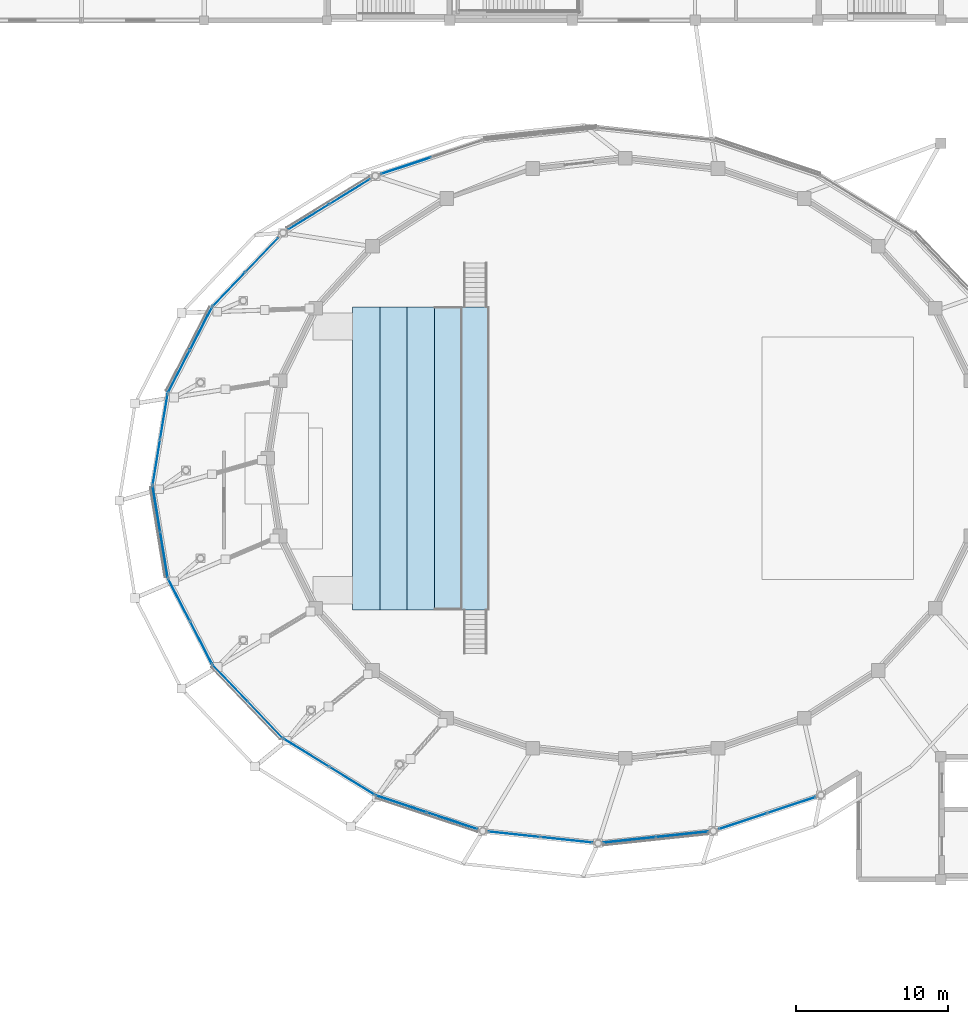
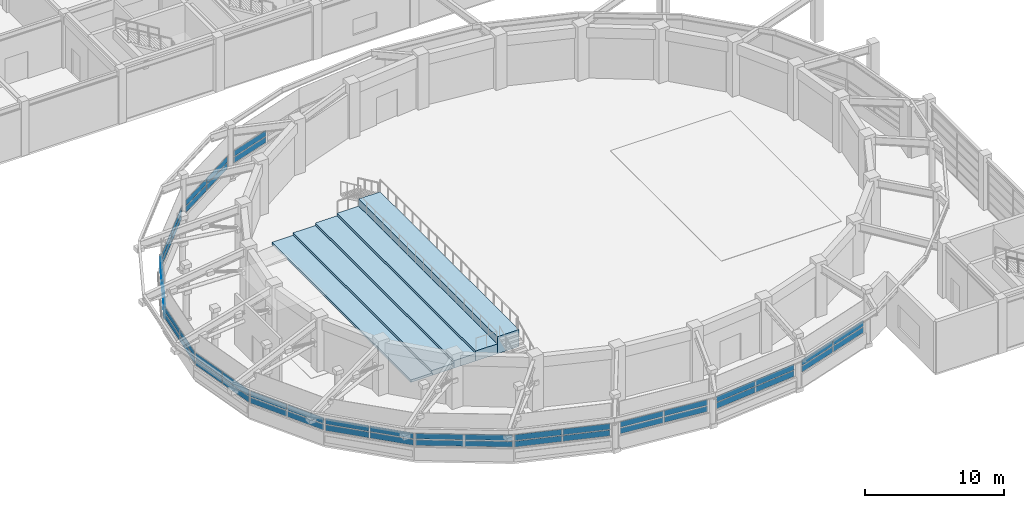
# One storey, part 31 of 56: 50 plates, 5 slabs, 13 elements without a shape of their own.
"""IFC4 building model written with IfcOpenShell, lengths in metres."""

import ifcopenshell
import ifcopenshell.guid

model = None  # the IFC model being written
_history = None  # IfcOwnerHistory: only IFC2X3 demands one
_inside = {}  # id of a spatial element -> (the spatial element, [elements in it])
_under = {}  # id of a project, library or spatial element -> (it, [spatial elements below it])
_declared = {}  # id of a project -> (the project, [libraries it declares])
_typed = {}  # id of a type object -> (the type object, [elements of that type])
_made_of = {}  # id of a material, layer set ... -> (it, [elements and type objects made of it])


def new_model(schema):
    """Start an empty IFC model of exactly this schema.

    Asked for "IFC4X3", IfcOpenShell would pick the latest addendum, in which some entities
    have other attributes; the version numbers below select the first issue.
    IFC2X3 requires an IfcOwnerHistory on every rooted entity: one is made here for all.
    """
    global model, _history
    if schema == "IFC4X3":
        model = ifcopenshell.file(schema_version=(4, 3, 0, 0))
    else:
        model = ifcopenshell.file(schema=schema)
    _inside.clear()
    _under.clear()
    _declared.clear()
    _typed.clear()
    _made_of.clear()
    _history = None
    if model.schema == "IFC2X3":
        org = make("IfcOrganization", Name="unknown")
        user = make(
            "IfcPersonAndOrganization",
            ThePerson=make("IfcPerson", FamilyName="unknown"),
            TheOrganization=org,
        )
        app = make(
            "IfcApplication",
            ApplicationDeveloper=org,
            Version="unknown",
            ApplicationFullName="unknown",
            ApplicationIdentifier="unknown",
        )
        _history = make(
            "IfcOwnerHistory",
            OwningUser=user,
            OwningApplication=app,
            ChangeAction="ADDED",
            CreationDate=0,
        )
    return model


def make(cls, **values):
    """One entity of the class cls with the attributes given. An attribute that is None is left unset."""
    return model.create_entity(
        cls, **{name: value for name, value in values.items() if value is not None}
    )


def rooted(cls, **values):
    """An entity with a GlobalId (a new one), such as an element, a storey or a relation."""
    return make(cls, GlobalId=ifcopenshell.guid.new(), OwnerHistory=_history, **values)


def si_unit(unit_type, name, prefix=None):
    """IfcSIUnit, for example si_unit("LENGTHUNIT", "METRE", prefix="MILLI")."""
    return make("IfcSIUnit", UnitType=unit_type, Prefix=prefix, Name=name)


def assignment(units):
    """IfcUnitAssignment: the units of a project."""
    return None if units is None else make("IfcUnitAssignment", Units=units)


def point(xyz):
    """IfcCartesianPoint."""
    return None if xyz is None else make("IfcCartesianPoint", Coordinates=xyz)


def direction(xyz):
    """IfcDirection."""
    return None if xyz is None else make("IfcDirection", DirectionRatios=xyz)


def frame(location, z_axis=None, x_axis=None):
    """IfcAxis2Placement3D, a coordinate frame: its origin and axes. An axis left out is left unset."""
    return make(
        "IfcAxis2Placement3D",
        Location=point(location),
        Axis=direction(z_axis),
        RefDirection=direction(x_axis),
    )


def frame_2d(location, x_axis=None):
    """IfcAxis2Placement2D, a coordinate frame in the plane: its origin and x axis."""
    return make(
        "IfcAxis2Placement2D", Location=point(location), RefDirection=direction(x_axis)
    )


def origin():
    """The frame at (0, 0, 0) with its axes left unset."""
    return frame((0.0, 0.0, 0.0))


def origin_2d():
    """The frame at (0, 0) in the plane with its x axis left unset."""
    return frame_2d((0.0, 0.0))


def place(relative_to, where):
    """IfcLocalPlacement: puts the frame where relative to a parent placement (None: the world)."""
    return make(
        "IfcLocalPlacement", PlacementRelTo=relative_to, RelativePlacement=where
    )


def context(
    kind, dimensions, precision=None, world=None, true_north=None, identifier=None
):
    """IfcGeometricRepresentationContext, for example the 3D "Model" context."""
    return make(
        "IfcGeometricRepresentationContext",
        ContextIdentifier=identifier,
        ContextType=kind,
        CoordinateSpaceDimension=dimensions,
        Precision=precision,
        WorldCoordinateSystem=world,
        TrueNorth=true_north,
    )


def subcontext(parent, identifier, kind, view, scale=None):
    """IfcGeometricRepresentationSubContext, for example "Body" below "Model"."""
    return make(
        "IfcGeometricRepresentationSubContext",
        ContextIdentifier=identifier,
        ContextType=kind,
        ParentContext=parent,
        TargetScale=scale,
        TargetView=view,
    )


def project(units=None, contexts=None):
    """IfcProject with its units and contexts."""
    return rooted(
        "IfcProject",
        Name="project",
        RepresentationContexts=contexts,
        UnitsInContext=assignment(units),
    )


def spatial(cls, under=None, at=None, **own):
    """A site, building, storey or space (cls), placed at a placement, below another one or the project."""
    s = rooted(cls, ObjectPlacement=at, **own)
    if under is not None:
        _under.setdefault(under.id(), (under, []))[1].append(s)
    return s


def polyline(points):
    """IfcPolyline through the points."""
    return make("IfcPolyline", Points=[point(p) for p in points])


def profile(cls, at=None, kind="AREA", **sizes):
    """A parametric profile (cls). Its sizes go by their IFC names, for example OverallWidth=200.0."""
    return make(cls, ProfileType=kind, Position=at, **sizes)


def rectangle(**sizes):
    """IfcRectangleProfileDef."""
    return profile("IfcRectangleProfileDef", **sizes)


def outline(outer, holes=None, kind="AREA"):
    """IfcArbitraryClosedProfileDef: a profile drawn as a closed curve; with holes, ...WithVoids."""
    if holes is None:
        return make("IfcArbitraryClosedProfileDef", ProfileType=kind, OuterCurve=outer)
    return make(
        "IfcArbitraryProfileDefWithVoids",
        ProfileType=kind,
        OuterCurve=outer,
        InnerCurves=holes,
    )


def extrude(swept, where, along, depth):
    """IfcExtrudedAreaSolid: the profile swept, set in the frame where, extruded along a direction by depth."""
    return make(
        "IfcExtrudedAreaSolid",
        SweptArea=swept,
        Position=where,
        ExtrudedDirection=direction(along),
        Depth=depth,
    )


def shape(context_of_items, identifier, shape_type, items):
    """IfcShapeRepresentation: the items that make up one representation, for example the "Body"."""
    return make(
        "IfcShapeRepresentation",
        ContextOfItems=context_of_items,
        RepresentationIdentifier=identifier,
        RepresentationType=shape_type,
        Items=items,
    )


def material(Name=None, Category=None):
    """IfcMaterial."""
    return make("IfcMaterial", Name=Name, Category=Category)


def layer(
    of_material, thickness, ventilated=None, Name=None, Category=None, Priority=None
):
    """IfcMaterialLayer: one layer of a wall or slab, of a material (None: an air gap)."""
    return make(
        "IfcMaterialLayer",
        Material=of_material,
        LayerThickness=thickness,
        IsVentilated=ventilated,
        Name=Name,
        Category=Category,
        Priority=Priority,
    )


def layer_set(layers, Name=None):
    """IfcMaterialLayerSet."""
    return make("IfcMaterialLayerSet", MaterialLayers=layers, LayerSetName=Name)


def made_of(thing, what):
    """Note that an element or type object is made of a material, layer set ...; save() writes the relation."""
    if what is not None:
        _made_of.setdefault(what.id(), (what, []))[1].append(thing)
    return thing


def type_object(cls, material=None, **own):
    """A type object (cls), such as IfcWallType, which elements share."""
    return made_of(rooted(cls, **own), material)


def element(
    cls,
    number,
    at=None,
    inside=None,
    cuts=None,
    type_object=None,
    material=None,
    context=None,
    identifier="Body",
    shape_type=None,
    held_by="IfcProductDefinitionShape",
    body=None,
    shapes=None,
    **own,
):
    """One element of the class cls, such as IfcWall. Its Tag is "e" and its number.

    at: its placement. inside: the storey or other place that contains it. cuts: it is an
    opening in that element (IfcRelVoidsElement). A single representation is given by context,
    identifier, shape_type and body (its items); several are given by shapes. held_by: the class
    of the entity that holds the representations. save() writes the other relations.
    """
    e = rooted(cls, Tag="e%d" % number, ObjectPlacement=at, **own)
    if body is not None:
        shapes = [shape(context, identifier, shape_type, body)]
    if shapes is not None:
        e.Representation = make(held_by, Representations=shapes)
    if inside is not None:
        _inside.setdefault(inside.id(), (inside, []))[1].append(e)
    if cuts is not None:
        rooted(
            "IfcRelVoidsElement", RelatingBuildingElement=cuts, RelatedOpeningElement=e
        )
    if type_object is not None:
        _typed.setdefault(type_object.id(), (type_object, []))[1].append(e)
    return made_of(e, material)


def aggregate(whole, parts):
    """IfcRelAggregates: a whole, such as a stair, and the parts it consists of."""
    return rooted("IfcRelAggregates", RelatingObject=whole, RelatedObjects=parts)


def save(model, path):
    """Write the relations noted so far, then the file.

    IfcRelAggregates (storeys below a building ...), IfcRelContainedInSpatialStructure (elements
    in a storey), IfcRelDefinesByType, IfcRelAssociatesMaterial and IfcRelDeclares: one each for
    every whole, place, type object, material and project.
    """
    for whole, parts in _under.values():
        aggregate(whole, parts)
    for where, things in _inside.values():
        rooted(
            "IfcRelContainedInSpatialStructure",
            RelatedElements=things,
            RelatingStructure=where,
        )
    for kind, things in _typed.values():
        rooted("IfcRelDefinesByType", RelatedObjects=things, RelatingType=kind)
    for what, things in _made_of.values():
        rooted("IfcRelAssociatesMaterial", RelatedObjects=things, RelatingMaterial=what)
    for by, libraries in _declared.values():
        rooted("IfcRelDeclares", RelatingContext=by, RelatedDefinitions=libraries)
    model.write(path)


model = new_model("IFC4")

# Units and contexts
model_context = context("Model", 3, precision=1e-05, world=origin(), true_north=direction((0.0, 1.0)))
body_context = subcontext(model_context, "Body", "Model", "MODEL_VIEW")
ifc_project = project(units=[si_unit("LENGTHUNIT", "METRE"), si_unit("AREAUNIT", "SQUARE_METRE"), si_unit("VOLUMEUNIT", "CUBIC_METRE"), si_unit("PLANEANGLEUNIT", "RADIAN"), si_unit("MASSUNIT", "GRAM", prefix="KILO")], contexts=[model_context])

# Site, building, storey
site_placement = place(None, origin())
site = spatial("IfcSite", under=ifc_project, at=site_placement, CompositionType="ELEMENT")
building_placement = place(site_placement, origin())
building = spatial("IfcBuilding", under=site, at=building_placement, Name="Parian Resonance Hall", CompositionType="ELEMENT")
storey_placement = place(building_placement, frame((0.0, 0.0, 5.39990234375)))
storey = spatial("IfcBuildingStorey", under=building, at=storey_placement, Name="L01", CompositionType="ELEMENT", Elevation=5.39990234375)

# Curtain wall, plates
ifc_material_1 = material(Name="Bronze-anodised aluminium frame", Category="aluminium")
curtain_wall_type_1 = type_object("IfcCurtainWallType", Name="CW-SYS-03", PredefinedType="NOTDEFINED", material=ifc_material_1)
curtain_wall_1_placement = place(storey_placement, origin())
curtain_wall_1 = element("IfcCurtainWall", 1, at=curtain_wall_1_placement, inside=storey, type_object=curtain_wall_type_1, Name="Elliptical R1 recessed strip curtain wall 09", PredefinedType="NOTDEFINED")
ifc_material_2 = material(Name="Acoustic laminated double glazing", Category="glass")
ifc_layer_1 = layer(ifc_material_2, 0.02197265625)
ifc_layer_set_1 = layer_set([ifc_layer_1], Name="Acoustic laminated double glazing")
plate_type_1 = type_object("IfcPlateType", Name="CWP-IGU22", PredefinedType="CURTAIN_PANEL", material=ifc_layer_set_1)
plate_1_placement = place(storey_placement, frame((23.101318359375, 59.928955078125, 1.20703125), z_axis=(0.0, 0.0, 1.0), x_axis=(0.851437593844, 0.524455931217, 0.0)))
plate_1 = element("IfcPlate", 2, at=plate_1_placement, type_object=plate_type_1, Name="CW-03 panel 1.1", PredefinedType="CURTAIN_PANEL", context=body_context, shape_type="SweptSolid", body=[
    extrude(rectangle(XDim=3.11572265625, YDim=0.02197265625, at=origin_2d()), origin(), (0.0, 0.0, 1.0), 0.510498046875),
])
plate_2_placement = place(storey_placement, frame((23.101318359375, 59.928955078125, 1.78271484375), z_axis=(0.0, 0.0, 1.0), x_axis=(0.851437593844, 0.524455931217, 0.0)))
plate_2 = element("IfcPlate", 3, at=plate_2_placement, type_object=plate_type_1, Name="CW-03 panel 1.2", PredefinedType="CURTAIN_PANEL", context=body_context, shape_type="SweptSolid", body=[
    extrude(rectangle(XDim=3.11572265625, YDim=0.02197265625, at=origin_2d()), origin(), (0.0, 0.0, 1.0), 0.512451171875),
])
plate_3_placement = place(storey_placement, frame((25.8095703125, 61.59716796875, 1.20703125), z_axis=(0.0, 0.0, 1.0), x_axis=(0.851437593844, 0.524455931217, 0.0)))
plate_3 = element("IfcPlate", 4, at=plate_3_placement, type_object=plate_type_1, Name="CW-03 panel 2.1", PredefinedType="CURTAIN_PANEL", context=body_context, shape_type="SweptSolid", body=[
    extrude(rectangle(XDim=3.11572265625, YDim=0.02197265625, at=origin_2d()), origin(), (0.0, 0.0, 1.0), 0.510498046875),
])
plate_4_placement = place(storey_placement, frame((25.8095703125, 61.59716796875, 1.78271484375), z_axis=(0.0, 0.0, 1.0), x_axis=(0.851437593844, 0.524455931217, 0.0)))
plate_4 = element("IfcPlate", 5, at=plate_4_placement, type_object=plate_type_1, Name="CW-03 panel 2.2", PredefinedType="CURTAIN_PANEL", context=body_context, shape_type="SweptSolid", body=[
    extrude(rectangle(XDim=3.11572265625, YDim=0.02197265625, at=origin_2d()), origin(), (0.0, 0.0, 1.0), 0.512451171875),
])
aggregate(curtain_wall_1, [plate_1, plate_2, plate_3, plate_4])

ifc_material_3 = material(Name="Bronze-anodised aluminium frame", Category="aluminium")
curtain_wall_type_2 = type_object("IfcCurtainWallType", Name="CW-SYS-06", PredefinedType="NOTDEFINED", material=ifc_material_3)
curtain_wall_2_placement = place(storey_placement, origin())
curtain_wall_2 = element("IfcCurtainWall", 6, at=curtain_wall_2_placement, inside=storey, type_object=curtain_wall_type_2, Name="Elliptical R1 recessed strip curtain wall 12", PredefinedType="NOTDEFINED")
plate_5_placement = place(storey_placement, frame((13.053466796875, 43.74560546875, 1.217041015625), z_axis=(0.0, 0.0, 1.0), x_axis=(0.161849307153, 0.986815485171, 0.0)))
plate_5 = element("IfcPlate", 7, at=plate_5_placement, type_object=plate_type_1, Name="CW-06 panel 1.1", PredefinedType="CURTAIN_PANEL", context=body_context, shape_type="SweptSolid", body=[
    extrude(rectangle(XDim=2.982421875, YDim=0.02197265625, at=origin_2d()), origin(), (0.0, 0.0, 1.0), 0.49560546875),
])
plate_6_placement = place(storey_placement, frame((13.053466796875, 43.74560546875, 1.78759765625), z_axis=(0.0, 0.0, 1.0), x_axis=(0.161849307153, 0.986815485171, 0.0)))
plate_6 = element("IfcPlate", 8, at=plate_6_placement, type_object=plate_type_1, Name="CW-06 panel 1.2", PredefinedType="CURTAIN_PANEL", context=body_context, shape_type="SweptSolid", body=[
    extrude(rectangle(XDim=2.982421875, YDim=0.02197265625, at=origin_2d()), origin(), (0.0, 0.0, 1.0), 0.49755859375),
])
plate_7_placement = place(storey_placement, frame((13.54833984375, 46.762451171875, 1.217041015625), z_axis=(0.0, 0.0, 1.0), x_axis=(0.161849307153, 0.986815485171, 0.0)))
plate_7 = element("IfcPlate", 9, at=plate_7_placement, type_object=plate_type_1, Name="CW-06 panel 2.1", PredefinedType="CURTAIN_PANEL", context=body_context, shape_type="SweptSolid", body=[
    extrude(rectangle(XDim=2.982421875, YDim=0.02197265625, at=origin_2d()), origin(), (0.0, 0.0, 1.0), 0.49560546875),
])
plate_8_placement = place(storey_placement, frame((13.54833984375, 46.762451171875, 1.78759765625), z_axis=(0.0, 0.0, 1.0), x_axis=(0.161849307153, 0.986815485171, 0.0)))
plate_8 = element("IfcPlate", 10, at=plate_8_placement, type_object=plate_type_1, Name="CW-06 panel 2.2", PredefinedType="CURTAIN_PANEL", context=body_context, shape_type="SweptSolid", body=[
    extrude(rectangle(XDim=2.982421875, YDim=0.02197265625, at=origin_2d()), origin(), (0.0, 0.0, 1.0), 0.49755859375),
])
aggregate(curtain_wall_2, [plate_5, plate_6, plate_7, plate_8])

curtain_wall_3_placement = place(storey_placement, origin())
curtain_wall_3 = element("IfcCurtainWall", 11, at=curtain_wall_3_placement, inside=storey, type_object=curtain_wall_type_1, Name="Elliptical R1 recessed strip curtain wall 15", PredefinedType="NOTDEFINED")
plate_9_placement = place(storey_placement, frame((20.23193359375, 26.745849609375, 1.20703125), z_axis=(0.0, 0.0, 1.0), x_axis=(-0.69099158608, 0.722862800238, 0.0)))
plate_9 = element("IfcPlate", 12, at=plate_9_placement, type_object=plate_type_1, Name="CW-03 panel 1.1", PredefinedType="CURTAIN_PANEL", context=body_context, shape_type="SweptSolid", body=[
    extrude(rectangle(XDim=3.283203125, YDim=0.02197265625, at=origin_2d()), origin(), (0.0, 0.0, 1.0), 0.510498046875),
])
plate_10_placement = place(storey_placement, frame((20.23193359375, 26.745849609375, 1.78271484375), z_axis=(0.0, 0.0, 1.0), x_axis=(-0.69099158608, 0.722862800238, 0.0)))
plate_10 = element("IfcPlate", 13, at=plate_10_placement, type_object=plate_type_1, Name="CW-03 panel 1.2", PredefinedType="CURTAIN_PANEL", context=body_context, shape_type="SweptSolid", body=[
    extrude(rectangle(XDim=3.283203125, YDim=0.02197265625, at=origin_2d()), origin(), (0.0, 0.0, 1.0), 0.512451171875),
])
plate_11_placement = place(storey_placement, frame((17.918212890625, 29.166259765625, 1.20703125), z_axis=(0.0, 0.0, 1.0), x_axis=(-0.69099158608, 0.722862800238, 0.0)))
plate_11 = element("IfcPlate", 14, at=plate_11_placement, type_object=plate_type_1, Name="CW-03 panel 2.1", PredefinedType="CURTAIN_PANEL", context=body_context, shape_type="SweptSolid", body=[
    extrude(rectangle(XDim=3.283203125, YDim=0.02197265625, at=origin_2d()), origin(), (0.0, 0.0, 1.0), 0.510498046875),
])
plate_12_placement = place(storey_placement, frame((17.918212890625, 29.166259765625, 1.78271484375), z_axis=(0.0, 0.0, 1.0), x_axis=(-0.69099158608, 0.722862800238, 0.0)))
plate_12 = element("IfcPlate", 15, at=plate_12_placement, type_object=plate_type_1, Name="CW-03 panel 2.2", PredefinedType="CURTAIN_PANEL", context=body_context, shape_type="SweptSolid", body=[
    extrude(rectangle(XDim=3.283203125, YDim=0.02197265625, at=origin_2d()), origin(), (0.0, 0.0, 1.0), 0.512451171875),
])
aggregate(curtain_wall_3, [plate_9, plate_10, plate_11, plate_12])

curtain_wall_4_placement = place(storey_placement, origin())
curtain_wall_4 = element("IfcCurtainWall", 16, at=curtain_wall_4_placement, inside=storey, type_object=curtain_wall_type_2, Name="Elliptical R1 recessed strip curtain wall 18", PredefinedType="NOTDEFINED")
plate_13_placement = place(storey_placement, frame((40.124755859375, 18.8193359375, 1.217041015625), z_axis=(0.0, 0.0, 1.0), x_axis=(-0.994461412711, 0.105102324563, 0.0)))
plate_13 = element("IfcPlate", 17, at=plate_13_placement, type_object=plate_type_1, Name="CW-06 panel 1.1", PredefinedType="CURTAIN_PANEL", context=body_context, shape_type="SweptSolid", body=[
    extrude(rectangle(XDim=3.403076171875, YDim=0.02197265625, at=origin_2d()), origin(), (0.0, 0.0, 1.0), 0.49560546875),
])
plate_14_placement = place(storey_placement, frame((40.124755859375, 18.8193359375, 1.78759765625), z_axis=(0.0, 0.0, 1.0), x_axis=(-0.994461412711, 0.105102324563, 0.0)))
plate_14 = element("IfcPlate", 18, at=plate_14_placement, type_object=plate_type_1, Name="CW-06 panel 1.2", PredefinedType="CURTAIN_PANEL", context=body_context, shape_type="SweptSolid", body=[
    extrude(rectangle(XDim=3.403076171875, YDim=0.02197265625, at=origin_2d()), origin(), (0.0, 0.0, 1.0), 0.49755859375),
])
plate_15_placement = place(storey_placement, frame((36.666015625, 19.184814453125, 1.217041015625), z_axis=(0.0, 0.0, 1.0), x_axis=(-0.994461412711, 0.105102324563, 0.0)))
plate_15 = element("IfcPlate", 19, at=plate_15_placement, type_object=plate_type_1, Name="CW-06 panel 2.1", PredefinedType="CURTAIN_PANEL", context=body_context, shape_type="SweptSolid", body=[
    extrude(rectangle(XDim=3.403076171875, YDim=0.02197265625, at=origin_2d()), origin(), (0.0, 0.0, 1.0), 0.49560546875),
])
plate_16_placement = place(storey_placement, frame((36.666015625, 19.184814453125, 1.78759765625), z_axis=(0.0, 0.0, 1.0), x_axis=(-0.994461412711, 0.105102324563, 0.0)))
plate_16 = element("IfcPlate", 20, at=plate_16_placement, type_object=plate_type_1, Name="CW-06 panel 2.2", PredefinedType="CURTAIN_PANEL", context=body_context, shape_type="SweptSolid", body=[
    extrude(rectangle(XDim=3.403076171875, YDim=0.02197265625, at=origin_2d()), origin(), (0.0, 0.0, 1.0), 0.49755859375),
])
aggregate(curtain_wall_4, [plate_13, plate_14, plate_15, plate_16])

ifc_material_4 = material(Name="Bronze-anodised aluminium frame", Category="aluminium")
curtain_wall_type_3 = type_object("IfcCurtainWallType", Name="CW-SYS-04", PredefinedType="NOTDEFINED", material=ifc_material_4)
curtain_wall_5_placement = place(storey_placement, origin())
curtain_wall_5 = element("IfcCurtainWall", 21, at=curtain_wall_5_placement, inside=storey, type_object=curtain_wall_type_3, Name="Elliptical R1 recessed strip curtain wall 10", PredefinedType="NOTDEFINED")
ifc_material_5 = material(Name="Acoustic laminated double glazing", Category="glass")
ifc_layer_2 = layer(ifc_material_5, 0.031982421875)
ifc_layer_set_2 = layer_set([ifc_layer_2], Name="Acoustic laminated double glazing")
plate_type_2 = type_object("IfcPlateType", Name="CWP-IGU32", PredefinedType="CURTAIN_PANEL", material=ifc_layer_set_2)
plate_17_placement = place(storey_placement, frame((17.84619140625, 55.158447265625, 1.217041015625), z_axis=(0.0, 0.0, 1.0), x_axis=(0.690991433687, 0.722862945911, 0.0)))
plate_17 = element("IfcPlate", 22, at=plate_17_placement, type_object=plate_type_2, Name="CW-04 panel 1.1", PredefinedType="CURTAIN_PANEL", context=body_context, shape_type="SweptSolid", body=[
    extrude(rectangle(XDim=3.054931640625, YDim=0.031982421875, at=origin_2d()), origin(), (0.0, 0.0, 1.0), 0.49560546875),
])
plate_18_placement = place(storey_placement, frame((17.84619140625, 55.158447265625, 1.78759765625), z_axis=(0.0, 0.0, 1.0), x_axis=(0.690991433687, 0.722862945911, 0.0)))
plate_18 = element("IfcPlate", 23, at=plate_18_placement, type_object=plate_type_2, Name="CW-04 panel 1.2", PredefinedType="CURTAIN_PANEL", context=body_context, shape_type="SweptSolid", body=[
    extrude(rectangle(XDim=3.054931640625, YDim=0.031982421875, at=origin_2d()), origin(), (0.0, 0.0, 1.0), 0.49755859375),
])
plate_19_placement = place(storey_placement, frame((20.009033203125, 57.4208984375, 1.217041015625), z_axis=(0.0, 0.0, 1.0), x_axis=(0.690991433687, 0.722862945911, 0.0)))
plate_19 = element("IfcPlate", 24, at=plate_19_placement, type_object=plate_type_2, Name="CW-04 panel 2.1", PredefinedType="CURTAIN_PANEL", context=body_context, shape_type="SweptSolid", body=[
    extrude(rectangle(XDim=3.054931640625, YDim=0.031982421875, at=origin_2d()), origin(), (0.0, 0.0, 1.0), 0.49560546875),
])
plate_20_placement = place(storey_placement, frame((20.009033203125, 57.4208984375, 1.78759765625), z_axis=(0.0, 0.0, 1.0), x_axis=(0.690991433687, 0.722862945911, 0.0)))
plate_20 = element("IfcPlate", 25, at=plate_20_placement, type_object=plate_type_2, Name="CW-04 panel 2.2", PredefinedType="CURTAIN_PANEL", context=body_context, shape_type="SweptSolid", body=[
    extrude(rectangle(XDim=3.054931640625, YDim=0.031982421875, at=origin_2d()), origin(), (0.0, 0.0, 1.0), 0.49755859375),
])
aggregate(curtain_wall_5, [plate_17, plate_18, plate_19, plate_20])

ifc_material_6 = material(Name="Bronze-anodised aluminium frame", Category="aluminium")
curtain_wall_type_4 = type_object("IfcCurtainWallType", Name="CW-SYS-01", PredefinedType="NOTDEFINED", material=ifc_material_6)
curtain_wall_6_placement = place(storey_placement, origin())
curtain_wall_6 = element("IfcCurtainWall", 26, at=curtain_wall_6_placement, inside=storey, type_object=curtain_wall_type_4, Name="Elliptical R1 recessed strip curtain wall 13", PredefinedType="NOTDEFINED")
plate_21_placement = place(storey_placement, frame((13.548828125, 37.635009765625, 1.20703125), z_axis=(0.0, 0.0, 1.0), x_axis=(-0.161849307153, 0.986815485171, 0.0)))
plate_21 = element("IfcPlate", 27, at=plate_21_placement, type_object=plate_type_2, Name="CW-01 panel 1.1", PredefinedType="CURTAIN_PANEL", context=body_context, shape_type="SweptSolid", body=[
    extrude(rectangle(XDim=2.997314453125, YDim=0.031982421875, at=origin_2d()), origin(), (0.0, 0.0, 1.0), 0.510498046875),
])
plate_22_placement = place(storey_placement, frame((13.548828125, 37.635009765625, 1.78271484375), z_axis=(0.0, 0.0, 1.0), x_axis=(-0.161849307153, 0.986815485171, 0.0)))
plate_22 = element("IfcPlate", 28, at=plate_22_placement, type_object=plate_type_2, Name="CW-01 panel 1.2", PredefinedType="CURTAIN_PANEL", context=body_context, shape_type="SweptSolid", body=[
    extrude(rectangle(XDim=2.997314453125, YDim=0.031982421875, at=origin_2d()), origin(), (0.0, 0.0, 1.0), 0.512451171875),
])
plate_23_placement = place(storey_placement, frame((13.052978515625, 40.656982421875, 1.20703125), z_axis=(0.0, 0.0, 1.0), x_axis=(-0.161849307153, 0.986815485171, 0.0)))
plate_23 = element("IfcPlate", 29, at=plate_23_placement, type_object=plate_type_2, Name="CW-01 panel 2.1", PredefinedType="CURTAIN_PANEL", context=body_context, shape_type="SweptSolid", body=[
    extrude(rectangle(XDim=2.997314453125, YDim=0.031982421875, at=origin_2d()), origin(), (0.0, 0.0, 1.0), 0.510498046875),
])
plate_24_placement = place(storey_placement, frame((13.052978515625, 40.656982421875, 1.78271484375), z_axis=(0.0, 0.0, 1.0), x_axis=(-0.161849307153, 0.986815485171, 0.0)))
plate_24 = element("IfcPlate", 30, at=plate_24_placement, type_object=plate_type_2, Name="CW-01 panel 2.2", PredefinedType="CURTAIN_PANEL", context=body_context, shape_type="SweptSolid", body=[
    extrude(rectangle(XDim=2.997314453125, YDim=0.031982421875, at=origin_2d()), origin(), (0.0, 0.0, 1.0), 0.512451171875),
])
aggregate(curtain_wall_6, [plate_21, plate_22, plate_23, plate_24])

curtain_wall_7_placement = place(storey_placement, origin())
curtain_wall_7 = element("IfcCurtainWall", 31, at=curtain_wall_7_placement, inside=storey, type_object=curtain_wall_type_3, Name="Elliptical R1 recessed strip curtain wall 16", PredefinedType="NOTDEFINED")
plate_25_placement = place(storey_placement, frame((25.9619140625, 22.709228515625, 1.217041015625), z_axis=(0.0, 0.0, 1.0), x_axis=(-0.85144074908, 0.524450808757, 0.0)))
plate_25 = element("IfcPlate", 32, at=plate_25_placement, type_object=plate_type_2, Name="CW-04 panel 1.1", PredefinedType="CURTAIN_PANEL", context=body_context, shape_type="SweptSolid", body=[
    extrude(rectangle(XDim=3.463134765625, YDim=0.031982421875, at=origin_2d()), origin(), (0.0, 0.0, 1.0), 0.49560546875),
])
plate_26_placement = place(storey_placement, frame((25.9619140625, 22.709228515625, 1.78759765625), z_axis=(0.0, 0.0, 1.0), x_axis=(-0.85144074908, 0.524450808757, 0.0)))
plate_26 = element("IfcPlate", 33, at=plate_26_placement, type_object=plate_type_2, Name="CW-04 panel 1.2", PredefinedType="CURTAIN_PANEL", context=body_context, shape_type="SweptSolid", body=[
    extrude(rectangle(XDim=3.463134765625, YDim=0.031982421875, at=origin_2d()), origin(), (0.0, 0.0, 1.0), 0.49755859375),
])
plate_27_placement = place(storey_placement, frame((22.94921875, 24.56494140625, 1.217041015625), z_axis=(0.0, 0.0, 1.0), x_axis=(-0.85144074908, 0.524450808757, 0.0)))
plate_27 = element("IfcPlate", 34, at=plate_27_placement, type_object=plate_type_2, Name="CW-04 panel 2.1", PredefinedType="CURTAIN_PANEL", context=body_context, shape_type="SweptSolid", body=[
    extrude(rectangle(XDim=3.463134765625, YDim=0.031982421875, at=origin_2d()), origin(), (0.0, 0.0, 1.0), 0.49560546875),
])
plate_28_placement = place(storey_placement, frame((22.94921875, 24.56494140625, 1.78759765625), z_axis=(0.0, 0.0, 1.0), x_axis=(-0.85144074908, 0.524450808757, 0.0)))
plate_28 = element("IfcPlate", 35, at=plate_28_placement, type_object=plate_type_2, Name="CW-04 panel 2.2", PredefinedType="CURTAIN_PANEL", context=body_context, shape_type="SweptSolid", body=[
    extrude(rectangle(XDim=3.463134765625, YDim=0.031982421875, at=origin_2d()), origin(), (0.0, 0.0, 1.0), 0.49755859375),
])
aggregate(curtain_wall_7, [plate_25, plate_26, plate_27, plate_28])

curtain_wall_8_placement = place(storey_placement, origin())
curtain_wall_8 = element("IfcCurtainWall", 36, at=curtain_wall_8_placement, inside=storey, type_object=curtain_wall_type_4, Name="Elliptical R1 recessed strip curtain wall 19", PredefinedType="NOTDEFINED")
plate_29_placement = place(storey_placement, frame((47.736572265625, 19.18505859375, 1.20703125), z_axis=(0.0, 0.0, 1.0), x_axis=(-0.994461412711, -0.105102324563, 0.0)))
plate_29 = element("IfcPlate", 37, at=plate_29_placement, type_object=plate_type_2, Name="CW-01 panel 1.1", PredefinedType="CURTAIN_PANEL", context=body_context, shape_type="SweptSolid", body=[
    extrude(rectangle(XDim=3.418212890625, YDim=0.031982421875, at=origin_2d()), origin(), (0.0, 0.0, 1.0), 0.510498046875),
])
plate_30_placement = place(storey_placement, frame((47.736572265625, 19.18505859375, 1.78271484375), z_axis=(0.0, 0.0, 1.0), x_axis=(-0.994461412711, -0.105102324563, 0.0)))
plate_30 = element("IfcPlate", 38, at=plate_30_placement, type_object=plate_type_2, Name="CW-01 panel 1.2", PredefinedType="CURTAIN_PANEL", context=body_context, shape_type="SweptSolid", body=[
    extrude(rectangle(XDim=3.418212890625, YDim=0.031982421875, at=origin_2d()), origin(), (0.0, 0.0, 1.0), 0.512451171875),
])
plate_31_placement = place(storey_placement, frame((44.272705078125, 18.819091796875, 1.20703125), z_axis=(0.0, 0.0, 1.0), x_axis=(-0.994461412711, -0.105102324563, 0.0)))
plate_31 = element("IfcPlate", 39, at=plate_31_placement, type_object=plate_type_2, Name="CW-01 panel 2.1", PredefinedType="CURTAIN_PANEL", context=body_context, shape_type="SweptSolid", body=[
    extrude(rectangle(XDim=3.418212890625, YDim=0.031982421875, at=origin_2d()), origin(), (0.0, 0.0, 1.0), 0.510498046875),
])
plate_32_placement = place(storey_placement, frame((44.272705078125, 18.819091796875, 1.78271484375), z_axis=(0.0, 0.0, 1.0), x_axis=(-0.994461412711, -0.105102324563, 0.0)))
plate_32 = element("IfcPlate", 40, at=plate_32_placement, type_object=plate_type_2, Name="CW-01 panel 2.2", PredefinedType="CURTAIN_PANEL", context=body_context, shape_type="SweptSolid", body=[
    extrude(rectangle(XDim=3.418212890625, YDim=0.031982421875, at=origin_2d()), origin(), (0.0, 0.0, 1.0), 0.512451171875),
])
aggregate(curtain_wall_8, [plate_29, plate_30, plate_31, plate_32])

ifc_material_7 = material(Name="Bronze-anodised aluminium frame", Category="aluminium")
curtain_wall_type_5 = type_object("IfcCurtainWallType", Name="CW-SYS-02", PredefinedType="NOTDEFINED", material=ifc_material_7)
curtain_wall_9_placement = place(storey_placement, origin())
curtain_wall_9 = element("IfcCurtainWall", 41, at=curtain_wall_9_placement, inside=storey, type_object=curtain_wall_type_5, Name="Elliptical R1 recessed strip curtain wall 08", PredefinedType="NOTDEFINED")
ifc_material_8 = material(Name="Acoustic laminated double glazing", Category="glass")
ifc_layer_3 = layer(ifc_material_8, 0.0419921875)
ifc_layer_set_3 = layer_set([ifc_layer_3], Name="Acoustic laminated double glazing")
plate_type_3 = type_object("IfcPlateType", Name="CWP-IGU42", PredefinedType="CURTAIN_PANEL", material=ifc_layer_set_3)
plate_33_placement = place(storey_placement, frame((29.521728515625, 63.310546875, 1.217041015625), z_axis=(0.0, 0.0, 1.0), x_axis=(0.948923675154, 0.315505719015, 0.0)))
plate_33 = element("IfcPlate", 42, at=plate_33_placement, type_object=plate_type_3, Name="CW-02 panel 1.1", PredefinedType="CURTAIN_PANEL", context=body_context, shape_type="SweptSolid", body=[
    extrude(rectangle(XDim=3.461181640625, YDim=0.0419921875, at=origin_2d()), origin(), (0.0, 0.0, 1.0), 0.49560546875),
])
plate_34_placement = place(storey_placement, frame((29.521728515625, 63.310546875, 1.78759765625), z_axis=(0.0, 0.0, 1.0), x_axis=(0.948923675154, 0.315505719015, 0.0)))
plate_34 = element("IfcPlate", 43, at=plate_34_placement, type_object=plate_type_3, Name="CW-02 panel 1.2", PredefinedType="CURTAIN_PANEL", context=body_context, shape_type="SweptSolid", body=[
    extrude(rectangle(XDim=3.461181640625, YDim=0.0419921875, at=origin_2d()), origin(), (0.0, 0.0, 1.0), 0.49755859375),
])
aggregate(curtain_wall_9, [plate_33, plate_34])

ifc_material_9 = material(Name="Bronze-anodised aluminium frame", Category="aluminium")
curtain_wall_type_6 = type_object("IfcCurtainWallType", Name="CW-SYS-05", PredefinedType="NOTDEFINED", material=ifc_material_9)
curtain_wall_10_placement = place(storey_placement, origin())
curtain_wall_10 = element("IfcCurtainWall", 44, at=curtain_wall_10_placement, inside=storey, type_object=curtain_wall_type_6, Name="Elliptical R1 recessed strip curtain wall 11", PredefinedType="NOTDEFINED")
plate_35_placement = place(storey_placement, frame((14.54345703125, 49.74560546875, 1.20703125), z_axis=(0.0, 0.0, 1.0), x_axis=(0.458562185702, 0.888662321607, 0.0)))
plate_35 = element("IfcPlate", 45, at=plate_35_placement, type_object=plate_type_3, Name="CW-05 panel 1.1", PredefinedType="CURTAIN_PANEL", context=body_context, shape_type="SweptSolid", body=[
    extrude(rectangle(XDim=3.10498046875, YDim=0.0419921875, at=origin_2d()), origin(), (0.0, 0.0, 1.0), 0.510498046875),
])
plate_36_placement = place(storey_placement, frame((14.54345703125, 49.74560546875, 1.78271484375), z_axis=(0.0, 0.0, 1.0), x_axis=(0.458562185702, 0.888662321607, 0.0)))
plate_36 = element("IfcPlate", 46, at=plate_36_placement, type_object=plate_type_3, Name="CW-05 panel 1.2", PredefinedType="CURTAIN_PANEL", context=body_context, shape_type="SweptSolid", body=[
    extrude(rectangle(XDim=3.10498046875, YDim=0.0419921875, at=origin_2d()), origin(), (0.0, 0.0, 1.0), 0.512451171875),
])
plate_37_placement = place(storey_placement, frame((15.9970703125, 52.5625, 1.20703125), z_axis=(0.0, 0.0, 1.0), x_axis=(0.458562185702, 0.888662321607, 0.0)))
plate_37 = element("IfcPlate", 47, at=plate_37_placement, type_object=plate_type_3, Name="CW-05 panel 2.1", PredefinedType="CURTAIN_PANEL", context=body_context, shape_type="SweptSolid", body=[
    extrude(rectangle(XDim=3.10498046875, YDim=0.0419921875, at=origin_2d()), origin(), (0.0, 0.0, 1.0), 0.510498046875),
])
plate_38_placement = place(storey_placement, frame((15.9970703125, 52.5625, 1.78271484375), z_axis=(0.0, 0.0, 1.0), x_axis=(0.458562185702, 0.888662321607, 0.0)))
plate_38 = element("IfcPlate", 48, at=plate_38_placement, type_object=plate_type_3, Name="CW-05 panel 2.2", PredefinedType="CURTAIN_PANEL", context=body_context, shape_type="SweptSolid", body=[
    extrude(rectangle(XDim=3.10498046875, YDim=0.0419921875, at=origin_2d()), origin(), (0.0, 0.0, 1.0), 0.512451171875),
])
aggregate(curtain_wall_10, [plate_35, plate_36, plate_37, plate_38])

curtain_wall_11_placement = place(storey_placement, origin())
curtain_wall_11 = element("IfcCurtainWall", 49, at=curtain_wall_11_placement, inside=storey, type_object=curtain_wall_type_5, Name="Elliptical R1 recessed strip curtain wall 14", PredefinedType="NOTDEFINED")
plate_39_placement = place(storey_placement, frame((15.99609375, 31.839599609375, 1.217041015625), z_axis=(0.0, 0.0, 1.0), x_axis=(-0.458562185702, 0.888662321607, 0.0)))
plate_39 = element("IfcPlate", 50, at=plate_39_placement, type_object=plate_type_3, Name="CW-02 panel 1.1", PredefinedType="CURTAIN_PANEL", context=body_context, shape_type="SweptSolid", body=[
    extrude(rectangle(XDim=3.090087890625, YDim=0.0419921875, at=origin_2d()), origin(), (0.0, 0.0, 1.0), 0.49560546875),
])
plate_40_placement = place(storey_placement, frame((15.99609375, 31.839599609375, 1.78759765625), z_axis=(0.0, 0.0, 1.0), x_axis=(-0.458562185702, 0.888662321607, 0.0)))
plate_40 = element("IfcPlate", 51, at=plate_40_placement, type_object=plate_type_3, Name="CW-02 panel 1.2", PredefinedType="CURTAIN_PANEL", context=body_context, shape_type="SweptSolid", body=[
    extrude(rectangle(XDim=3.090087890625, YDim=0.0419921875, at=origin_2d()), origin(), (0.0, 0.0, 1.0), 0.49755859375),
])
plate_41_placement = place(storey_placement, frame((14.544677734375, 34.65234375, 1.217041015625), z_axis=(0.0, 0.0, 1.0), x_axis=(-0.458562185702, 0.888662321607, 0.0)))
plate_41 = element("IfcPlate", 52, at=plate_41_placement, type_object=plate_type_3, Name="CW-02 panel 2.1", PredefinedType="CURTAIN_PANEL", context=body_context, shape_type="SweptSolid", body=[
    extrude(rectangle(XDim=3.090087890625, YDim=0.0419921875, at=origin_2d()), origin(), (0.0, 0.0, 1.0), 0.49560546875),
])
plate_42_placement = place(storey_placement, frame((14.544677734375, 34.65234375, 1.78759765625), z_axis=(0.0, 0.0, 1.0), x_axis=(-0.458562185702, 0.888662321607, 0.0)))
plate_42 = element("IfcPlate", 53, at=plate_42_placement, type_object=plate_type_3, Name="CW-02 panel 2.2", PredefinedType="CURTAIN_PANEL", context=body_context, shape_type="SweptSolid", body=[
    extrude(rectangle(XDim=3.090087890625, YDim=0.0419921875, at=origin_2d()), origin(), (0.0, 0.0, 1.0), 0.49755859375),
])
aggregate(curtain_wall_11, [plate_39, plate_40, plate_41, plate_42])

curtain_wall_12_placement = place(storey_placement, origin())
curtain_wall_12 = element("IfcCurtainWall", 54, at=curtain_wall_12_placement, inside=storey, type_object=curtain_wall_type_6, Name="Elliptical R1 recessed strip curtain wall 17", PredefinedType="NOTDEFINED")
plate_43_placement = place(storey_placement, frame((32.5712890625, 20.07568359375, 1.20703125), z_axis=(0.0, 0.0, 1.0), x_axis=(-0.948923675154, 0.315505719015, 0.0)))
plate_43 = element("IfcPlate", 55, at=plate_43_placement, type_object=plate_type_3, Name="CW-05 panel 1.1", PredefinedType="CURTAIN_PANEL", context=body_context, shape_type="SweptSolid", body=[
    extrude(rectangle(XDim=3.47607421875, YDim=0.0419921875, at=origin_2d()), origin(), (0.0, 0.0, 1.0), 0.510498046875),
])
plate_44_placement = place(storey_placement, frame((32.5712890625, 20.07568359375, 1.78271484375), z_axis=(0.0, 0.0, 1.0), x_axis=(-0.948923675154, 0.315505719015, 0.0)))
plate_44 = element("IfcPlate", 56, at=plate_44_placement, type_object=plate_type_3, Name="CW-05 panel 1.2", PredefinedType="CURTAIN_PANEL", context=body_context, shape_type="SweptSolid", body=[
    extrude(rectangle(XDim=3.47607421875, YDim=0.0419921875, at=origin_2d()), origin(), (0.0, 0.0, 1.0), 0.512451171875),
])
plate_45_placement = place(storey_placement, frame((29.2109375, 21.19287109375, 1.20703125), z_axis=(0.0, 0.0, 1.0), x_axis=(-0.948923675154, 0.315505719015, 0.0)))
plate_45 = element("IfcPlate", 57, at=plate_45_placement, type_object=plate_type_3, Name="CW-05 panel 2.1", PredefinedType="CURTAIN_PANEL", context=body_context, shape_type="SweptSolid", body=[
    extrude(rectangle(XDim=3.47607421875, YDim=0.0419921875, at=origin_2d()), origin(), (0.0, 0.0, 1.0), 0.510498046875),
])
plate_46_placement = place(storey_placement, frame((29.2109375, 21.19287109375, 1.78271484375), z_axis=(0.0, 0.0, 1.0), x_axis=(-0.948923675154, 0.315505719015, 0.0)))
plate_46 = element("IfcPlate", 58, at=plate_46_placement, type_object=plate_type_3, Name="CW-05 panel 2.2", PredefinedType="CURTAIN_PANEL", context=body_context, shape_type="SweptSolid", body=[
    extrude(rectangle(XDim=3.47607421875, YDim=0.0419921875, at=origin_2d()), origin(), (0.0, 0.0, 1.0), 0.512451171875),
])
aggregate(curtain_wall_12, [plate_43, plate_44, plate_45, plate_46])

curtain_wall_13_placement = place(storey_placement, origin())
curtain_wall_13 = element("IfcCurtainWall", 59, at=curtain_wall_13_placement, inside=storey, type_object=curtain_wall_type_5, Name="Elliptical R1 recessed strip curtain wall 20", PredefinedType="NOTDEFINED")
plate_47_placement = place(storey_placement, frame((54.955322265625, 21.115234375, 1.217041015625), z_axis=(0.0, 0.0, 1.0), x_axis=(-0.94892488011, -0.315502094934, 0.0)))
plate_47 = element("IfcPlate", 60, at=plate_47_placement, type_object=plate_type_3, Name="CW-02 panel 1.1", PredefinedType="CURTAIN_PANEL", context=body_context, shape_type="SweptSolid", body=[
    extrude(rectangle(XDim=3.298583984375, YDim=0.0419921875, at=origin_2d()), origin(), (0.0, 0.0, 1.0), 0.49560546875),
])
plate_48_placement = place(storey_placement, frame((54.955322265625, 21.115234375, 1.78759765625), z_axis=(0.0, 0.0, 1.0), x_axis=(-0.94892488011, -0.315502094934, 0.0)))
plate_48 = element("IfcPlate", 61, at=plate_48_placement, type_object=plate_type_3, Name="CW-02 panel 1.2", PredefinedType="CURTAIN_PANEL", context=body_context, shape_type="SweptSolid", body=[
    extrude(rectangle(XDim=3.298583984375, YDim=0.0419921875, at=origin_2d()), origin(), (0.0, 0.0, 1.0), 0.49755859375),
])
plate_49_placement = place(storey_placement, frame((51.75390625, 20.05078125, 1.217041015625), z_axis=(0.0, 0.0, 1.0), x_axis=(-0.94892488011, -0.315502094934, 0.0)))
plate_49 = element("IfcPlate", 62, at=plate_49_placement, type_object=plate_type_3, Name="CW-02 panel 2.1", PredefinedType="CURTAIN_PANEL", context=body_context, shape_type="SweptSolid", body=[
    extrude(rectangle(XDim=3.298583984375, YDim=0.0419921875, at=origin_2d()), origin(), (0.0, 0.0, 1.0), 0.49560546875),
])
plate_50_placement = place(storey_placement, frame((51.75390625, 20.05078125, 1.78759765625), z_axis=(0.0, 0.0, 1.0), x_axis=(-0.94892488011, -0.315502094934, 0.0)))
plate_50 = element("IfcPlate", 63, at=plate_50_placement, type_object=plate_type_3, Name="CW-02 panel 2.2", PredefinedType="CURTAIN_PANEL", context=body_context, shape_type="SweptSolid", body=[
    extrude(rectangle(XDim=3.298583984375, YDim=0.0419921875, at=origin_2d()), origin(), (0.0, 0.0, 1.0), 0.49755859375),
])
aggregate(curtain_wall_13, [plate_47, plate_48, plate_49, plate_50])

# Slabs
ifc_material_10 = material(Name="Concrete C35/45", Category="concrete")
ifc_layer_4 = layer(ifc_material_10, 1.5)
ifc_layer_set_4 = layer_set([ifc_layer_4], Name="Concrete C35/45")
slab_type_1 = type_object("IfcSlabType", Name="SLB-TIER-1500", PredefinedType="USERDEFINED", material=ifc_layer_set_4)
slab_1_placement = place(storey_placement, origin())
element("IfcSlab", 64, at=slab_1_placement, inside=storey, type_object=slab_type_1, Name="Main Concert Hall stalls seating tier 5", ObjectType="SEATING TIER", PredefinedType="USERDEFINED", context=body_context, shape_type="SweptSolid", body=[
    extrude(outline(polyline([(33.199951171875, 34.0), (35.0, 34.0), (35.0, 54.0), (33.199951171875, 54.0), (33.199951171875, 34.0)])), origin(), (0.0, 0.0, 1.0), 1.5),
])
ifc_material_11 = material(Name="Concrete C35/45", Category="concrete")
ifc_layer_5 = layer(ifc_material_11, 0.2099609375)
ifc_layer_set_5 = layer_set([ifc_layer_5], Name="Concrete C35/45")
slab_type_2 = type_object("IfcSlabType", Name="SLB-TIER-210", PredefinedType="USERDEFINED", material=ifc_layer_set_5)
slab_2_placement = place(storey_placement, origin())
element("IfcSlab", 65, at=slab_2_placement, inside=storey, type_object=slab_type_2, Name="Main Concert Hall stalls seating tier 1", ObjectType="SEATING TIER", PredefinedType="USERDEFINED", context=body_context, shape_type="SweptSolid", body=[
    extrude(outline(polyline([(26.0, 34.0), (27.800048828125, 34.0), (27.800048828125, 54.0), (26.0, 54.0), (26.0, 34.0)])), origin(), (0.0, 0.0, 1.0), 0.210205078125),
])
ifc_material_12 = material(Name="Concrete C35/45", Category="concrete")
ifc_layer_6 = layer(ifc_material_12, 0.429931640625)
ifc_layer_set_6 = layer_set([ifc_layer_6], Name="Concrete C35/45")
slab_type_3 = type_object("IfcSlabType", Name="SLB-TIER-430", PredefinedType="USERDEFINED", material=ifc_layer_set_6)
slab_3_placement = place(storey_placement, origin())
element("IfcSlab", 66, at=slab_3_placement, inside=storey, type_object=slab_type_3, Name="Main Concert Hall stalls seating tier 2", ObjectType="SEATING TIER", PredefinedType="USERDEFINED", context=body_context, shape_type="SweptSolid", body=[
    extrude(outline(polyline([(27.739990234375, 34.0), (29.60009765625, 34.0), (29.60009765625, 54.0), (27.739990234375, 54.0), (27.739990234375, 34.0)])), origin(), (0.0, 0.0, 1.0), 0.43017578125),
])
ifc_material_13 = material(Name="Concrete C35/45", Category="concrete")
ifc_layer_7 = layer(ifc_material_13, 0.64990234375)
ifc_layer_set_7 = layer_set([ifc_layer_7], Name="Concrete C35/45")
slab_type_4 = type_object("IfcSlabType", Name="SLB-TIER-650", PredefinedType="USERDEFINED", material=ifc_layer_set_7)
slab_4_placement = place(storey_placement, origin())
element("IfcSlab", 67, at=slab_4_placement, inside=storey, type_object=slab_type_4, Name="Main Concert Hall stalls seating tier 3", ObjectType="SEATING TIER", PredefinedType="USERDEFINED", context=body_context, shape_type="SweptSolid", body=[
    extrude(outline(polyline([(29.60009765625, 34.0), (31.39990234375, 34.0), (31.39990234375, 54.0), (29.60009765625, 54.0), (29.60009765625, 34.0)])), origin(), (0.0, 0.0, 1.0), 0.650146484375),
])
ifc_material_14 = material(Name="Concrete C35/45", Category="concrete")
ifc_layer_8 = layer(ifc_material_14, 0.8701171875)
ifc_layer_set_8 = layer_set([ifc_layer_8], Name="Concrete C35/45")
slab_type_5 = type_object("IfcSlabType", Name="SLB-TIER-870", PredefinedType="USERDEFINED", material=ifc_layer_set_8)
slab_5_placement = place(storey_placement, origin())
element("IfcSlab", 68, at=slab_5_placement, inside=storey, type_object=slab_type_5, Name="Main Concert Hall stalls seating tier 4", ObjectType="SEATING TIER", PredefinedType="USERDEFINED", context=body_context, shape_type="SweptSolid", body=[
    extrude(outline(polyline([(31.39990234375, 34.0), (33.199951171875, 34.0), (33.199951171875, 54.0), (31.39990234375, 54.0), (31.39990234375, 34.0)])), origin(), (0.0, 0.0, 1.0), 0.8701171875),
])

save(model, "model.ifc")
